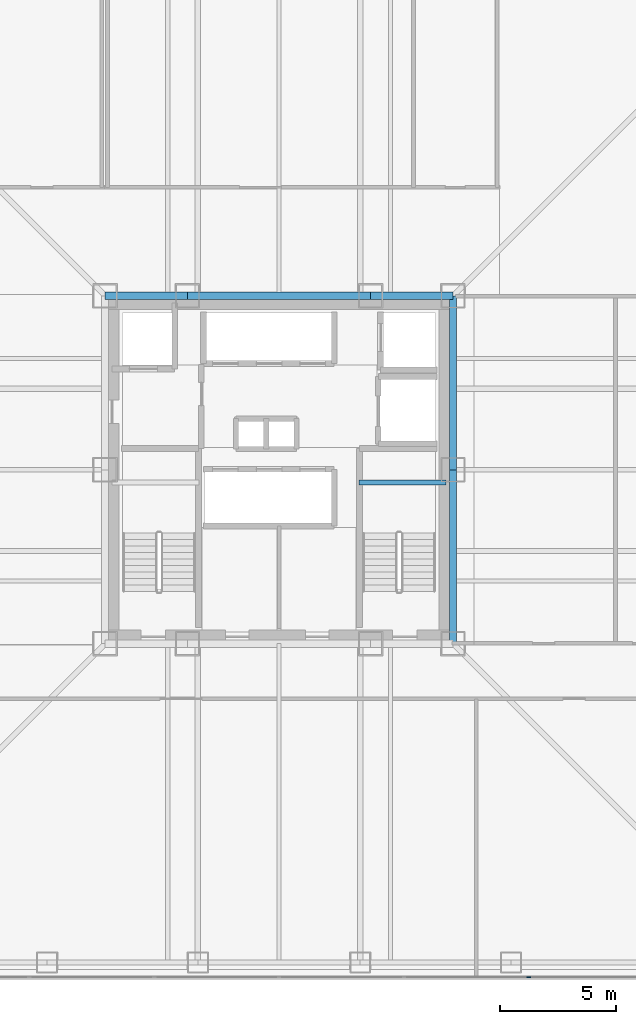
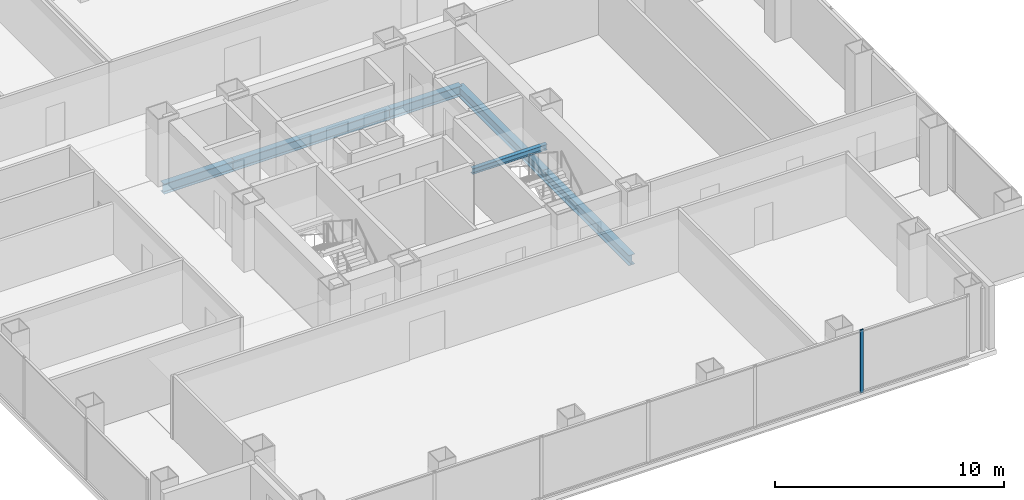
# One storey, part 5 of 14: 6 beams, 1 member, 1 element without a shape of its own.
"""IFC4 building model written with IfcOpenShell, lengths in metres."""

from ifc_helpers import new_model, si_unit, direction, frame, origin, origin_2d, place, context, subcontext, project, spatial, rectangle, i_section, extrude, material, layer, layer_set, material_profile, profile_set, type_object, element, aggregate, save


model = new_model("IFC4")

# Units and contexts
model_context = context("Model", 3, precision=1e-05, world=origin(), true_north=direction((0.0, 1.0)))
body_context = subcontext(model_context, "Body", "Model", "MODEL_VIEW")
ifc_project = project(units=[si_unit("LENGTHUNIT", "METRE"), si_unit("AREAUNIT", "SQUARE_METRE"), si_unit("VOLUMEUNIT", "CUBIC_METRE"), si_unit("PLANEANGLEUNIT", "RADIAN"), si_unit("MASSUNIT", "GRAM", prefix="KILO")], contexts=[model_context])

# Site, building, storey
site_placement = place(None, origin())
site = spatial("IfcSite", under=ifc_project, at=site_placement, CompositionType="ELEMENT")
building_placement = place(site_placement, origin())
building = spatial("IfcBuilding", under=site, at=building_placement, Name="Trevonay Congress Spire", CompositionType="ELEMENT")
storey_placement = place(building_placement, frame((0.0, 0.0, 140.800048828125)))
storey = spatial("IfcBuildingStorey", under=building, at=storey_placement, Name="L36", CompositionType="ELEMENT", Elevation=140.800048828125)

# Beams
ifc_material_1 = material(Name="Steel ASTM A572 Grade 50", Category="steel")
ifc_material_profile_1 = material_profile(ifc_material_1, i_section(OverallWidth=0.31201171875, OverallDepth=0.54296875, WebThickness=0.0126953125, FlangeThickness=0.020263671875, FilletRadius=0.014892578125, at=origin_2d()), Name="W530x150")
ifc_profile_set_1 = profile_set([ifc_material_profile_1], Name="Steel ASTM A572 Grade 50")
beam_type_1 = type_object("IfcBeamType", Name="BM-GIRD-W530X150", PredefinedType="BEAM", material=ifc_profile_set_1)
beam_1_placement = place(storey_placement, frame((-7.5, 7.5, -0.511474609375), z_axis=(1.0, 0.0, 0.0), x_axis=(0.0, 1.0, 0.0)))
element("IfcBeam", 1, at=beam_1_placement, inside=storey, type_object=beam_type_1, Name="L36 structural beam BM-L36-CR-N1", PredefinedType="BEAM", context=body_context, shape_type="SweptSolid", body=[
    extrude(i_section(OverallWidth=0.31201171875, OverallDepth=0.54296875, WebThickness=0.0126953125, FlangeThickness=0.020263671875, FilletRadius=0.014892578125, at=origin_2d()), origin(), (0.0, 0.0, 1.0), 3.550048828125),
])
beam_2_placement = place(storey_placement, frame((-3.949951171875, 7.5, -0.511474609375), z_axis=(1.0, 0.0, 0.0), x_axis=(0.0, 1.0, 0.0)))
element("IfcBeam", 2, at=beam_2_placement, inside=storey, type_object=beam_type_1, Name="L36 structural beam BM-L36-CR-N2", PredefinedType="BEAM", context=body_context, shape_type="SweptSolid", body=[
    extrude(i_section(OverallWidth=0.31201171875, OverallDepth=0.54296875, WebThickness=0.0126953125, FlangeThickness=0.020263671875, FilletRadius=0.014892578125, at=origin_2d()), origin(), (0.0, 0.0, 1.0), 7.89990234375),
])
beam_3_placement = place(storey_placement, frame((3.949951171875, 7.5, -0.511474609375), z_axis=(1.0, 0.0, 0.0), x_axis=(0.0, 1.0, 0.0)))
element("IfcBeam", 3, at=beam_3_placement, inside=storey, type_object=beam_type_1, Name="L36 structural beam BM-L36-CR-N3", PredefinedType="BEAM", context=body_context, shape_type="SweptSolid", body=[
    extrude(i_section(OverallWidth=0.31201171875, OverallDepth=0.54296875, WebThickness=0.0126953125, FlangeThickness=0.020263671875, FilletRadius=0.014892578125, at=origin_2d()), origin(), (0.0, 0.0, 1.0), 3.550048828125),
])
for number, where, z_axis, x_axis, name in (
    (4, (7.5, -7.5, -0.511474609375), (0.0, 1.0, 0.0), (-1.0, 0.0, 0.0), "L36 structural beam BM-L36-CR-E1"),
    (5, (7.5, 0.0, -0.511474609375), (0.0, 1.0, 0.0), (-1.0, 0.0, 0.0), "L36 structural beam BM-L36-CR-E2"),
):
    element("IfcBeam", number, at=place(storey_placement, frame(where, z_axis=z_axis, x_axis=x_axis)), inside=storey, type_object=beam_type_1, Name=name, PredefinedType="BEAM", context=body_context, shape_type="SweptSolid", body=[
        extrude(i_section(OverallWidth=0.31201171875, OverallDepth=0.54296875, WebThickness=0.0126953125, FlangeThickness=0.020263671875, FilletRadius=0.014892578125, at=origin_2d()), origin(), (0.0, 0.0, 1.0), 7.5),
    ])

# Curtain wall, member
ifc_material_2 = material(Name="Pale Anodised Aluminium EN AW-6063-T6", Category="aluminium")
ifc_layer = layer(ifc_material_2, 0.175048828125, Name="Pale Anodised Aluminium EN AW-6063-T6")
ifc_layer_set = layer_set([ifc_layer], Name="Pale Anodised Aluminium EN AW-6063-T6")
curtain_wall_type = type_object("IfcCurtainWallType", Name="CW-SYS03-CONGRESS-PALE-METAL", PredefinedType="NOTDEFINED", material=ifc_layer_set)
curtain_wall_placement = place(storey_placement, origin())
curtain_wall = element("IfcCurtainWall", 6, at=curtain_wall_placement, inside=storey, type_object=curtain_wall_type, Name="L36 S unitised curtain wall", PredefinedType="NOTDEFINED")
ifc_material_profile_2 = material_profile(ifc_material_2, rectangle(XDim=0.06005859375, YDim=0.159912109375, at=origin_2d()), Name="CW-MULLION-160-ALUMINIUM")
ifc_profile_set_2 = profile_set([ifc_material_profile_2], Name="Pale Anodised Aluminium EN AW-6063-T6")
member_type = type_object("IfcMemberType", Name="CW-MULLION-160-ALUMINIUM", PredefinedType="MULLION", material=ifc_profile_set_2)
member_placement = place(storey_placement, frame((10.7666015625, -21.8798828125, 0.0), z_axis=(0.0, 0.0, 1.0), x_axis=(0.0, 1.0, 0.0)))
member = element("IfcMember", 7, at=member_placement, type_object=member_type, Name="CW03 mullion 6", PredefinedType="MULLION", context=body_context, shape_type="SweptSolid", body=[
    extrude(rectangle(XDim=0.06005859375, YDim=0.159912109375, at=origin_2d()), origin(), (0.0, 0.0, 1.0), 3.35986328125),
])
aggregate(curtain_wall, [member])

# Beam
ifc_material_profile_3 = material_profile(ifc_material_1, i_section(OverallWidth=0.2041015625, OverallDepth=0.305908203125, WebThickness=0.008544921875, FlangeThickness=0.0146484375, FilletRadius=0.010986328125, at=origin_2d()), Name="W310x67")
ifc_profile_set_3 = profile_set([ifc_material_profile_3], Name="Steel ASTM A572 Grade 50")
beam_type_2 = type_object("IfcBeamType", Name="LN-CORE-W310X67", PredefinedType="LINTEL", material=ifc_profile_set_3)
beam_4_placement = place(storey_placement, frame((3.449951171875, -0.550048828125, 1.447021484375), z_axis=(1.0, 0.0, 0.0), x_axis=(0.0, 1.0, 0.0)))
element("IfcBeam", 8, at=beam_4_placement, inside=storey, type_object=beam_type_2, Name="L36 structural beam BM-L36-HL-ST2", PredefinedType="LINTEL", context=body_context, shape_type="SweptSolid", body=[
    extrude(i_section(OverallWidth=0.2041015625, OverallDepth=0.305908203125, WebThickness=0.008544921875, FlangeThickness=0.0146484375, FilletRadius=0.010986328125, at=origin_2d()), origin(), (0.0, 0.0, 1.0), 3.75),
])

save(model, "model.ifc")
